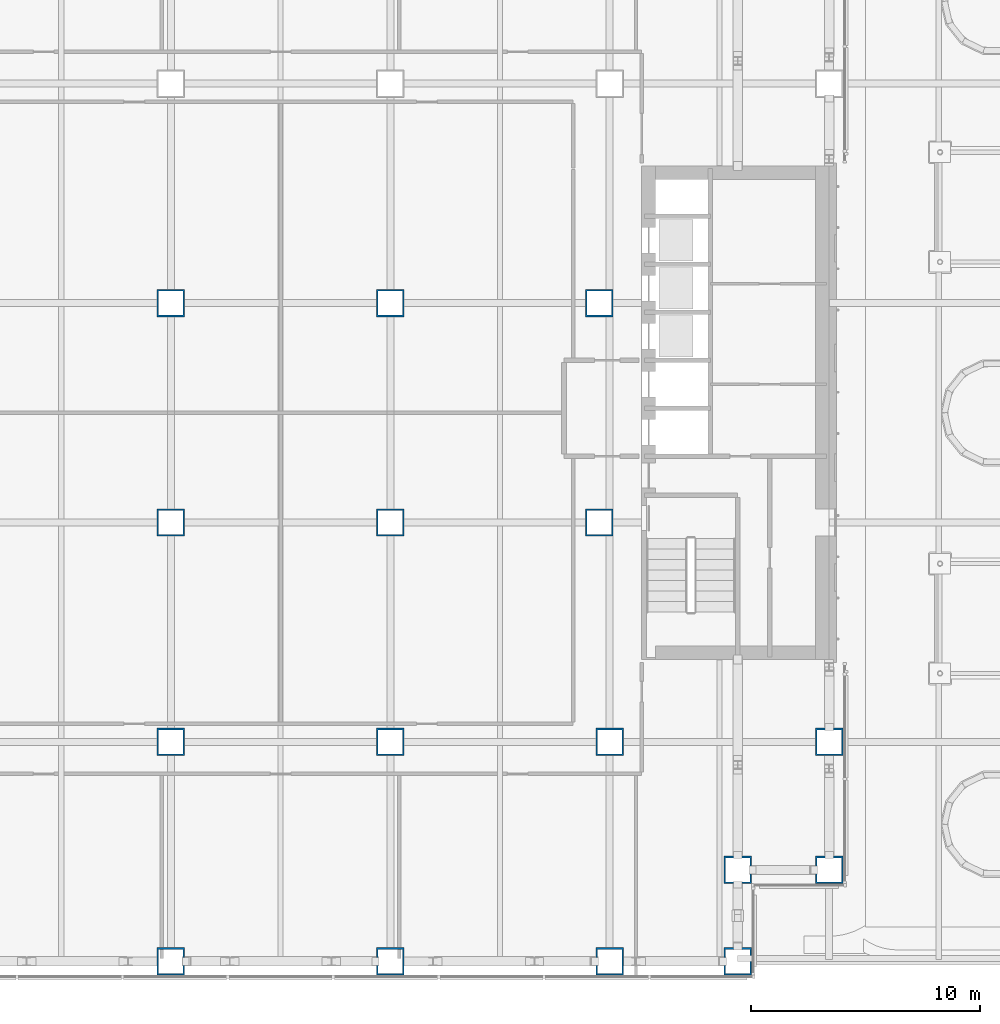
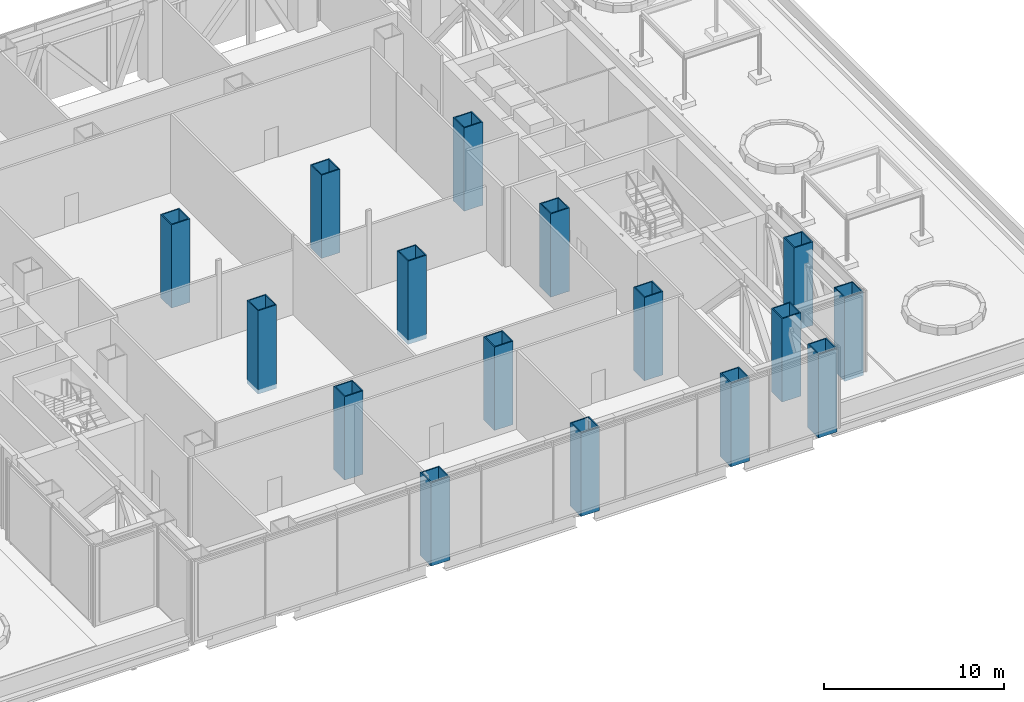
# One storey, part 3 of 39: 16 columns.
"""IFC4 building model written with IfcOpenShell, lengths in metres."""

from ifc_helpers import new_model, si_unit, direction, frame, origin, origin_2d, place, context, subcontext, project, spatial, hollow_rectangle, extrude, material, material_profile, profile_set, type_object, element, save


model = new_model("IFC4")

# Units and contexts
model_context = context("Model", 3, precision=1e-05, world=origin(), true_north=direction((0.0, 1.0)))
body_context = subcontext(model_context, "Body", "Model", "MODEL_VIEW")
ifc_project = project(units=[si_unit("LENGTHUNIT", "METRE"), si_unit("AREAUNIT", "SQUARE_METRE"), si_unit("VOLUMEUNIT", "CUBIC_METRE"), si_unit("PLANEANGLEUNIT", "RADIAN"), si_unit("MASSUNIT", "GRAM", prefix="KILO")], contexts=[model_context])

# Site, building, storey
site_placement = place(None, origin())
site = spatial("IfcSite", under=ifc_project, at=site_placement, CompositionType="ELEMENT")
building_placement = place(site_placement, origin())
building = spatial("IfcBuilding", under=site, at=building_placement, Name="Cobrizo Arcos Hotel Tower", CompositionType="ELEMENT")
storey_placement = place(building_placement, frame((0.0, 0.0, 33.5)))
storey = spatial("IfcBuildingStorey", under=building, at=storey_placement, Name="L06", CompositionType="ELEMENT", Elevation=33.5)

# Columns
ifc_material = material(Name="Steel ASTM A572 Grade 50", Category="steel")
ifc_material_profile_1 = material_profile(ifc_material, hollow_rectangle(XDim=1.199951171875, YDim=1.199951171875, WallThickness=0.070068359375, at=origin_2d()), Name="BOX 1200X1200X70")
ifc_profile_set_1 = profile_set([ifc_material_profile_1], Name="Steel ASTM A572 Grade 50")
column_type_1 = type_object("IfcColumnType", Name="BOX 1200X1200X70 column", PredefinedType="COLUMN", material=ifc_profile_set_1)
for number, where, z_axis, x_axis, name in (
    (1, (-4.800048828125, -24.0, -0.300048828125), (0.0, 0.0, 1.0), (1.0, 0.0, 0.0), "Perimeter column C1, L06, no. 10"),
    (2, (4.800048828125, -24.0, -0.300048828125), (0.0, 0.0, 1.0), (1.0, 0.0, 0.0), "Perimeter column C1, L06, no. 12"),
    (3, (14.39990234375, -24.0, -0.300048828125), (0.0, 0.0, 1.0), (1.0, 0.0, 0.0), "Perimeter column C1, L06, no. 14"),
    (4, (20.0, -24.0, -0.300048828125), (0.0, 0.0, 1.0), (1.0, 0.0, 0.0), "Perimeter column C1, L06, no. 16"),
    (5, (20.0, -20.0, -0.300048828125), (0.0, 0.0, 1.0), (1.0, 0.0, 0.0), "Perimeter column C1, L06, no. 17"),
    (6, (24.0, -20.0, -0.300048828125), (0.0, 0.0, 1.0), (1.0, 0.0, 0.0), "Perimeter column C1, L06, no. 20"),
    (7, (24.0, -14.39990234375, -0.300048828125), (0.0, 0.0, 1.0), (1.0, 0.0, 0.0), "Perimeter column C1, L06, no. 21"),
):
    element("IfcColumn", number, at=place(storey_placement, frame(where, z_axis=z_axis, x_axis=x_axis)), inside=storey, type_object=column_type_1, Name=name, PredefinedType="COLUMN", context=body_context, shape_type="SweptSolid", body=[
        extrude(hollow_rectangle(XDim=1.199951171875, YDim=1.199951171875, WallThickness=0.070068359375, at=origin_2d()), origin(), (0.0, 0.0, 1.0), 5.650146484375),
    ])
ifc_material_profile_2 = material_profile(ifc_material, hollow_rectangle(XDim=1.199951171875, YDim=1.199951171875, WallThickness=0.070068359375, at=origin_2d()), Name="BOX 1200X1200X70")
ifc_profile_set_2 = profile_set([ifc_material_profile_2], Name="Steel ASTM A572 Grade 50")
column_type_2 = type_object("IfcColumnType", Name="BOX 1200X1200X70 interior column", PredefinedType="COLUMN", material=ifc_profile_set_2)
for number, where, z_axis, x_axis, name in (
    (8, (-4.800048828125, -14.39990234375, -0.300048828125), (0.0, 0.0, 1.0), (1.0, 0.0, 0.0), "Interior column C2, L06, no. 04"),
    (9, (-4.800048828125, -4.800048828125, -0.300048828125), (0.0, 0.0, 1.0), (1.0, 0.0, 0.0), "Interior column C2, L06, no. 05"),
    (10, (-4.800048828125, 4.800048828125, -0.300048828125), (0.0, 0.0, 1.0), (1.0, 0.0, 0.0), "Interior column C2, L06, no. 06"),
    (11, (4.800048828125, -14.39990234375, -0.300048828125), (0.0, 0.0, 1.0), (1.0, 0.0, 0.0), "Interior column C2, L06, no. 08"),
    (12, (4.800048828125, -4.800048828125, -0.300048828125), (0.0, 0.0, 1.0), (1.0, 0.0, 0.0), "Interior column C2, L06, no. 09"),
    (13, (4.800048828125, 4.800048828125, -0.300048828125), (0.0, 0.0, 1.0), (1.0, 0.0, 0.0), "Interior column C2, L06, no. 10"),
    (14, (14.39990234375, -14.39990234375, -0.300048828125), (0.0, 0.0, 1.0), (1.0, 0.0, 0.0), "Interior column C2, L06, no. 12"),
    (15, (13.93994140625, -4.800048828125, -0.300048828125), (0.0, 0.0, 1.0), (1.0, 0.0, 0.0), "Interior column C2, L06, no. 13"),
    (16, (13.93994140625, 4.800048828125, -0.300048828125), (0.0, 0.0, 1.0), (1.0, 0.0, 0.0), "Interior column C2, L06, no. 14"),
):
    element("IfcColumn", number, at=place(storey_placement, frame(where, z_axis=z_axis, x_axis=x_axis)), inside=storey, type_object=column_type_2, Name=name, PredefinedType="COLUMN", context=body_context, shape_type="SweptSolid", body=[
        extrude(hollow_rectangle(XDim=1.199951171875, YDim=1.199951171875, WallThickness=0.070068359375, at=origin_2d()), origin(), (0.0, 0.0, 1.0), 5.650146484375),
    ])

save(model, "model.ifc")
